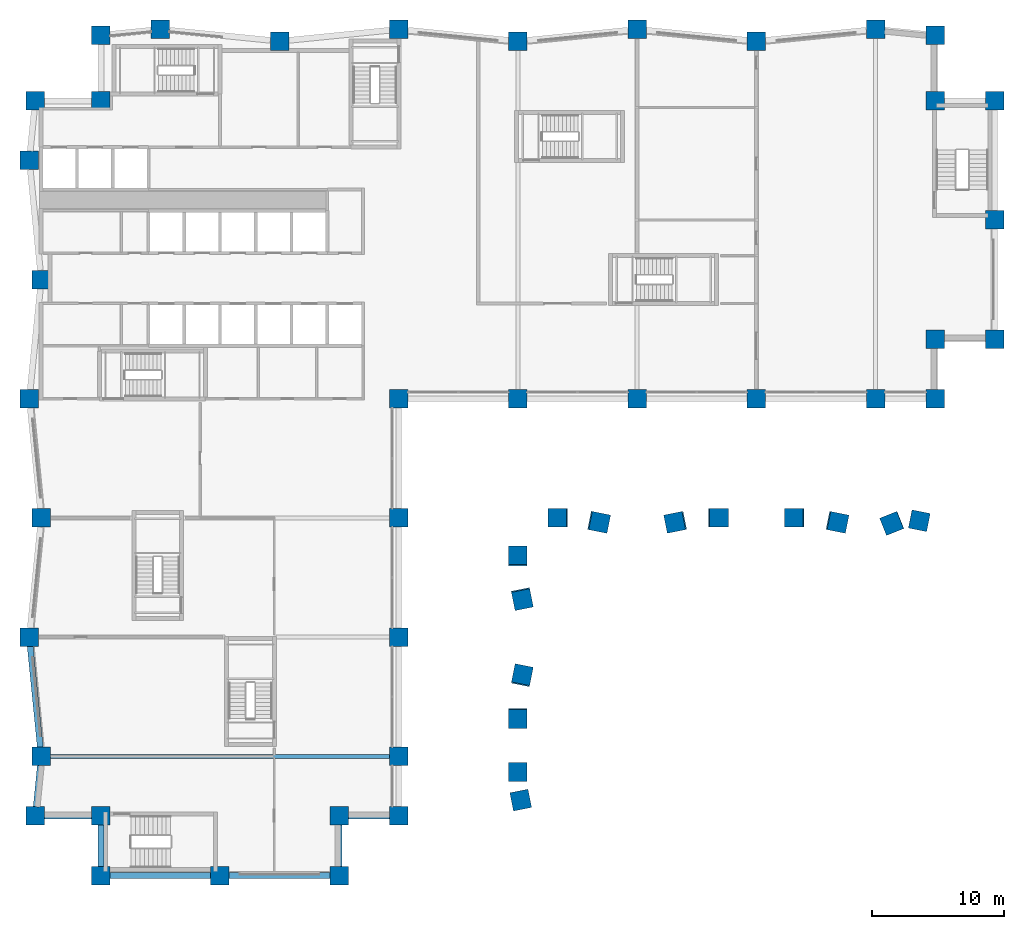
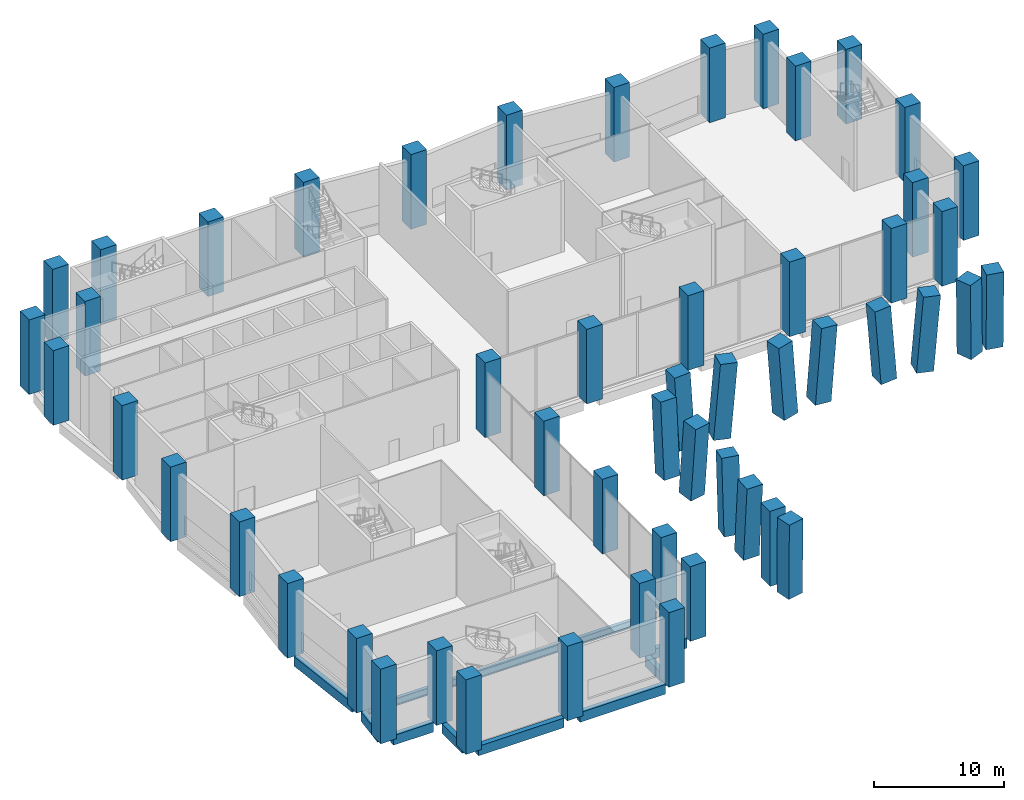
# One storey, part 1 of 18: 52 columns, 9 beams.
"""IFC4 building model written with IfcOpenShell, lengths in metres."""

from ifc_helpers import new_model, si_unit, direction, frame, origin, origin_2d, place, context, subcontext, project, spatial, rectangle, i_section, extrude, material, material_profile, profile_set, type_object, element, save


model = new_model("IFC4")

# Units and contexts
model_context = context("Model", 3, precision=1e-05, world=origin(), true_north=direction((0.0, 1.0)))
body_context = subcontext(model_context, "Body", "Model", "MODEL_VIEW")
ifc_project = project(units=[si_unit("LENGTHUNIT", "METRE"), si_unit("AREAUNIT", "SQUARE_METRE"), si_unit("VOLUMEUNIT", "CUBIC_METRE"), si_unit("PLANEANGLEUNIT", "RADIAN"), si_unit("MASSUNIT", "GRAM", prefix="KILO")], contexts=[model_context])

# Site, building, storey
site_placement = place(None, origin())
site = spatial("IfcSite", under=ifc_project, at=site_placement, CompositionType="ELEMENT")
building_placement = place(site_placement, origin())
building = spatial("IfcBuilding", under=site, at=building_placement, Name="Brondeck Convention Tower", CompositionType="ELEMENT")
storey_placement = place(building_placement, frame((0.0, 0.0, 7.5)))
storey = spatial("IfcBuildingStorey", under=building, at=storey_placement, Name="L01", CompositionType="ELEMENT", Elevation=7.5)

# Columns
ifc_material_1 = material(Name="Concrete C80/95", Category="concrete")
ifc_material_profile_1 = material_profile(ifc_material_1, rectangle(XDim=1.39990234375, YDim=1.39990234375, at=origin_2d()), Name="Mega column 1400x1400 Concrete C80/95")
ifc_profile_set_1 = profile_set([ifc_material_profile_1], Name="Concrete C80/95")
column_type_1 = type_object("IfcColumnType", Name="Mega column 1400x1400 Concrete C80/95", PredefinedType="COLUMN", material=ifc_profile_set_1)
for number, where, z_axis, x_axis, name in (
    (1, (4.5, 0.0, 0.0), (0.0, 0.0, 1.0), (1.0, 0.0, 0.0), "STR-COL-L01-BC-B-S-01"),
    (2, (13.5, 0.0, 0.0), (0.0, 0.0, 1.0), (1.0, 0.0, 0.0), "STR-COL-L01-BC-B-S-02"),
    (3, (22.5, 0.0, 0.0), (0.0, 0.0, 1.0), (1.0, 0.0, 0.0), "STR-COL-L01-BC-B-S-03"),
    (4, (27.0, 4.5, 0.0), (0.0, 0.0, 1.0), (1.0, 0.0, 0.0), "STR-COL-L01-BC-B-E-07"),
    (5, (27.0, 9.0, 0.0), (0.0, 0.0, 1.0), (1.0, 0.0, 0.0), "STR-COL-L01-BC-B-E-06"),
    (6, (27.0, 18.0, 0.0), (0.0, 0.0, 1.0), (1.0, 0.0, 0.0), "STR-COL-L01-BC-B-E-04"),
    (7, (27.0, 27.0, 0.0), (0.0, 0.0, 1.0), (1.0, 0.0, 0.0), "STR-COL-L01-BC-B-E-02"),
    (8, (27.0, 36.0, 0.0), (0.0, 0.0, 1.0), (1.0, 0.0, 0.0), "STR-COL-L01-BC-B-E-00"),
    (9, (36.0, 36.0, 0.0), (0.0, 0.0, 1.0), (1.0, 0.0, 0.0), "STR-COL-L01-BC-A-S-02"),
    (10, (45.0, 36.0, 0.0), (0.0, 0.0, 1.0), (1.0, 0.0, 0.0), "STR-COL-L01-BC-A-S-04"),
    (11, (54.0, 36.0, 0.0), (0.0, 0.0, 1.0), (1.0, 0.0, 0.0), "STR-COL-L01-BC-A-S-06"),
    (12, (63.0, 36.0, 0.0), (0.0, 0.0, 1.0), (1.0, 0.0, 0.0), "STR-COL-L01-BC-A-S-08"),
    (13, (67.5, 36.0, 0.0), (0.0, 0.0, 1.0), (1.0, 0.0, 0.0), "STR-COL-L01-BC-A-S-09"),
    (14, (72.0, 40.5, 0.0), (0.0, 0.0, 1.0), (1.0, 0.0, 0.0), "STR-COL-L01-BC-A-E-01"),
    (15, (72.0, 49.5, 0.0), (0.0, 0.0, 1.0), (1.0, 0.0, 0.0), "STR-COL-L01-BC-A-E-02"),
    (16, (72.0, 58.5, 0.0), (0.0, 0.0, 1.0), (1.0, 0.0, 0.0), "STR-COL-L01-BC-A-E-03"),
    (17, (67.5, 63.449951171875, 0.0), (0.0, 0.0, 1.0), (1.0, 0.0, 0.0), "STR-COL-L01-BC-A-N-15"),
    (18, (63.0, 63.89990234375, 0.0), (0.0, 0.0, 1.0), (1.0, 0.0, 0.0), "STR-COL-L01-BC-A-N-14"),
    (19, (54.0, 63.0, 0.0), (0.0, 0.0, 1.0), (1.0, 0.0, 0.0), "STR-COL-L01-BC-A-N-12"),
    (20, (45.0, 63.89990234375, 0.0), (0.0, 0.0, 1.0), (1.0, 0.0, 0.0), "STR-COL-L01-BC-A-N-10"),
    (21, (36.0, 63.0, 0.0), (0.0, 0.0, 1.0), (1.0, 0.0, 0.0), "STR-COL-L01-BC-A-N-08"),
    (22, (27.0, 63.89990234375, 0.0), (0.0, 0.0, 1.0), (1.0, 0.0, 0.0), "STR-COL-L01-BC-A-N-06"),
    (23, (18.0, 63.0, 0.0), (0.0, 0.0, 1.0), (1.0, 0.0, 0.0), "STR-COL-L01-BC-A-N-04"),
    (24, (9.0, 63.89990234375, 0.0), (0.0, 0.0, 1.0), (1.0, 0.0, 0.0), "STR-COL-L01-BC-A-N-02"),
    (25, (4.5, 63.449951171875, 0.0), (0.0, 0.0, 1.0), (1.0, 0.0, 0.0), "STR-COL-L01-BC-A-N-01"),
    (26, (-0.449951171875, 58.5, 0.0), (0.0, 0.0, 1.0), (1.0, 0.0, 0.0), "STR-COL-L01-BC-B-W-01"),
    (27, (-0.89990234375, 54.0, 0.0), (0.0, 0.0, 1.0), (1.0, 0.0, 0.0), "STR-COL-L01-BC-B-W-02"),
    (28, (0.0, 45.0, 0.0), (0.0, 0.0, 1.0), (1.0, 0.0, 0.0), "STR-COL-L01-BC-B-W-04"),
    (29, (-0.89990234375, 36.0, 0.0), (0.0, 0.0, 1.0), (1.0, 0.0, 0.0), "STR-COL-L01-BC-B-W-06"),
    (30, (0.0, 27.0, 0.0), (0.0, 0.0, 1.0), (1.0, 0.0, 0.0), "STR-COL-L01-BC-B-W-08"),
    (31, (-0.89990234375, 18.0, 0.0), (0.0, 0.0, 1.0), (1.0, 0.0, 0.0), "STR-COL-L01-BC-B-W-10"),
    (32, (0.0, 9.0, 0.0), (0.0, 0.0, 1.0), (1.0, 0.0, 0.0), "STR-COL-L01-BC-B-W-12"),
    (33, (-0.449951171875, 4.5, 0.0), (0.0, 0.0, 1.0), (1.0, 0.0, 0.0), "STR-COL-L01-BC-B-W-13"),
    (34, (4.5, 4.5, 0.0), (0.0, 0.0, 1.0), (1.0, 0.0, 0.0), "STR-COL-L01-NC-SWB"),
    (35, (22.5, 4.5, 0.0), (0.0, 0.0, 1.0), (1.0, 0.0, 0.0), "STR-COL-L01-NC-SEB"),
    (36, (67.5, 40.5, 0.0), (0.0, 0.0, 1.0), (1.0, 0.0, 0.0), "STR-COL-L01-NC-SEA"),
    (37, (67.5, 58.5, 0.0), (0.0, 0.0, 1.0), (1.0, 0.0, 0.0), "STR-COL-L01-NC-NEA"),
    (38, (4.5, 58.5, 0.0), (0.0, 0.0, 1.0), (1.0, 0.0, 0.0), "STR-COL-L01-NC-NW"),
):
    element("IfcColumn", number, at=place(storey_placement, frame(where, z_axis=z_axis, x_axis=x_axis)), inside=storey, type_object=column_type_1, Name=name, PredefinedType="COLUMN", context=body_context, shape_type="SweptSolid", body=[
        extrude(rectangle(XDim=1.39990234375, YDim=1.39990234375, at=origin_2d()), origin(), (0.0, 0.0, 1.0), 7.0),
    ])
ifc_material_profile_2 = material_profile(ifc_material_1, rectangle(XDim=1.39990234375, YDim=1.39990234375, at=origin_2d()), Name="Raking V column 1400x1400 Concrete C80/95")
ifc_profile_set_2 = profile_set([ifc_material_profile_2], Name="Concrete C80/95")
column_type_2 = type_object("IfcColumnType", Name="Raking V column 1400x1400 Concrete C80/95", PredefinedType="COLUMN", material=ifc_profile_set_2)
column_1_placement = place(storey_placement, frame((39.03125, 27.0, 0.0), z_axis=(-0.062378286155, 0.0, 0.998052578483), x_axis=(0.0, -1.0, 0.0)))
element("IfcColumn", 39, at=column_1_placement, inside=storey, type_object=column_type_2, Name="STR-COL-L01-V-A-S-1-W", PredefinedType="COLUMN", context=body_context, shape_type="SweptSolid", body=[
    extrude(rectangle(XDim=1.39990234375, YDim=1.39990234375, at=origin_2d()), origin(), (0.0, 0.0, 1.0), 7.013671875),
])
for number, where, z_axis, x_axis, name in (
    (40, (42.07568359375, 26.684814453125, 0.0), (0.079087211024, -0.015817442205, 0.99674220417), (0.196116135138, 0.980580675691, 0.0), "STR-COL-L01-V-A-S-1-E"),
    (41, (47.92431640625, 26.684814453125, 0.0), (-0.079087211024, -0.015817442205, 0.99674220417), (0.196116135138, -0.980580675691, 0.0), "STR-COL-L01-V-A-S-2-W"),
):
    element("IfcColumn", number, at=place(storey_placement, frame(where, z_axis=z_axis, x_axis=x_axis)), inside=storey, type_object=column_type_2, Name=name, PredefinedType="COLUMN", context=body_context, shape_type="SweptSolid", body=[
        extrude(rectangle(XDim=1.39990234375, YDim=1.39990234375, at=origin_2d()), origin(), (0.0, 0.0, 1.0), 7.02294921875),
    ])
for number, where, z_axis, x_axis, name in (
    (42, (51.0859375, 27.0, 0.0), (0.077887667293, 0.0, 0.996962141349), (0.0, 1.0, 0.0), "STR-COL-L01-V-A-S-2-E"),
    (43, (56.9140625, 27.0, 0.0), (-0.077887667293, 0.0, 0.996962141349), (0.0, -1.0, 0.0), "STR-COL-L01-V-A-S-3-W"),
):
    element("IfcColumn", number, at=place(storey_placement, frame(where, z_axis=z_axis, x_axis=x_axis)), inside=storey, type_object=column_type_2, Name=name, PredefinedType="COLUMN", context=body_context, shape_type="SweptSolid", body=[
        extrude(rectangle(XDim=1.39990234375, YDim=1.39990234375, at=origin_2d()), origin(), (0.0, 0.0, 1.0), 7.021240234375),
    ])
column_2_placement = place(storey_placement, frame((60.07568359375, 26.684814453125, 0.0), z_axis=(0.079087211024, -0.015817442205, 0.99674220417), x_axis=(0.196116135138, 0.980580675691, 0.0)))
element("IfcColumn", 44, at=column_2_placement, inside=storey, type_object=column_type_2, Name="STR-COL-L01-V-A-S-3-E", PredefinedType="COLUMN", context=body_context, shape_type="SweptSolid", body=[
    extrude(rectangle(XDim=1.39990234375, YDim=1.39990234375, at=origin_2d()), origin(), (0.0, 0.0, 1.0), 7.02294921875),
])
column_3_placement = place(storey_placement, frame((64.2294921875, 26.591796875, 0.0), z_axis=(-0.012310581136, -0.004917257621, 0.999912131224), x_axis=(0.370937052858, -0.928658011766, 0.0)))
element("IfcColumn", 45, at=column_3_placement, inside=storey, type_object=column_type_2, Name="STR-COL-L01-V-A-S-4-W", PredefinedType="COLUMN", context=body_context, shape_type="SweptSolid", body=[
    extrude(rectangle(XDim=1.39990234375, YDim=1.39990234375, at=origin_2d()), origin(), (0.0, 0.0, 1.0), 7.000732421875),
])
column_4_placement = place(storey_placement, frame((66.29833984375, 26.790283203125, 0.0), z_axis=(0.009032819744, -0.001813539099, 0.999957558721), x_axis=(0.196844054669, 0.980434810756, 0.0)))
element("IfcColumn", 46, at=column_4_placement, inside=storey, type_object=column_type_2, Name="STR-COL-L01-V-A-S-4-E", PredefinedType="COLUMN", context=body_context, shape_type="SweptSolid", body=[
    extrude(rectangle(XDim=1.39990234375, YDim=1.39990234375, at=origin_2d()), origin(), (0.0, 0.0, 1.0), 7.000244140625),
])
column_5_placement = place(storey_placement, frame((36.0, 24.0859375, 0.0), z_axis=(0.0, 0.077887667293, 0.996962141349), x_axis=(-1.0, 0.0, 0.0)))
element("IfcColumn", 47, at=column_5_placement, inside=storey, type_object=column_type_2, Name="STR-COL-L01-V-B-E-1-W", PredefinedType="COLUMN", context=body_context, shape_type="SweptSolid", body=[
    extrude(rectangle(XDim=1.39990234375, YDim=1.39990234375, at=origin_2d()), origin(), (0.0, 0.0, 1.0), 7.021240234375),
])
for number, where, z_axis, x_axis, name in (
    (48, (36.315185546875, 20.92431640625, 0.0), (0.015817442205, -0.079087211024, 0.99674220417), (0.980580675691, 0.196116135138, 0.0), "STR-COL-L01-V-B-E-1-E"),
    (49, (36.315185546875, 15.07568359375, 0.0), (0.015817442205, 0.079087211024, 0.99674220417), (-0.980580675691, 0.196116135138, 0.0), "STR-COL-L01-V-B-E-2-W"),
):
    element("IfcColumn", number, at=place(storey_placement, frame(where, z_axis=z_axis, x_axis=x_axis)), inside=storey, type_object=column_type_2, Name=name, PredefinedType="COLUMN", context=body_context, shape_type="SweptSolid", body=[
        extrude(rectangle(XDim=1.39990234375, YDim=1.39990234375, at=origin_2d()), origin(), (0.0, 0.0, 1.0), 7.02294921875),
    ])
column_6_placement = place(storey_placement, frame((36.0, 11.9140625, 0.0), z_axis=(0.0, -0.077887667293, 0.996962141349), x_axis=(1.0, 0.0, 0.0)))
element("IfcColumn", 50, at=column_6_placement, inside=storey, type_object=column_type_2, Name="STR-COL-L01-V-B-E-2-E", PredefinedType="COLUMN", context=body_context, shape_type="SweptSolid", body=[
    extrude(rectangle(XDim=1.39990234375, YDim=1.39990234375, at=origin_2d()), origin(), (0.0, 0.0, 1.0), 7.021240234375),
])
for number, where, z_axis, x_axis, name in (
    (51, (36.0, 7.80859375, 0.0), (0.0, 0.007812261592, 0.999969483819), (-1.0, 0.0, 0.0), "STR-COL-L01-V-B-E-3-W"),
    (52, (36.209716796875, 5.70166015625, 0.0), (0.001813539099, -0.009032819744, 0.999957558721), (0.980434810756, 0.196844054669, 0.0), "STR-COL-L01-V-B-E-3-E"),
):
    element("IfcColumn", number, at=place(storey_placement, frame(where, z_axis=z_axis, x_axis=x_axis)), inside=storey, type_object=column_type_2, Name=name, PredefinedType="COLUMN", context=body_context, shape_type="SweptSolid", body=[
        extrude(rectangle(XDim=1.39990234375, YDim=1.39990234375, at=origin_2d()), origin(), (0.0, 0.0, 1.0), 7.000244140625),
    ])

# Beams
ifc_material_profile_3 = material_profile(ifc_material_1, rectangle(XDim=0.449951171875, YDim=0.89990234375, at=origin_2d()), Name="Edge beam 450x900 Concrete C80/95")
ifc_profile_set_3 = profile_set([ifc_material_profile_3], Name="Concrete C80/95")
beam_type_1 = type_object("IfcBeamType", Name="Edge beam 450x900 Concrete C80/95", PredefinedType="BEAM", material=ifc_profile_set_3)
for number, where, z_axis, x_axis, name in (
    (53, (5.199951171875, 0.0, -0.449951171875), (1.0, 0.0, 0.0), (0.0, 1.0, 0.0), "STR-SP-L01-001"),
    (54, (14.199951171875, 0.0, -0.449951171875), (1.0, 0.0, 0.0), (0.0, 1.0, 0.0), "STR-SP-L01-002"),
):
    element("IfcBeam", number, at=place(storey_placement, frame(where, z_axis=z_axis, x_axis=x_axis)), inside=storey, type_object=beam_type_1, Name=name, PredefinedType="BEAM", context=body_context, shape_type="SweptSolid", body=[
        extrude(rectangle(XDim=0.449951171875, YDim=0.89990234375, at=origin_2d()), origin(), (0.0, 0.0, 1.0), 7.60009765625),
    ])
for number, where, z_axis, x_axis, name in (
    (55, (22.5, 0.699951171875, -0.449951171875), (0.0, 1.0, 0.0), (-1.0, 0.0, 0.0), "STR-SP-L01-003"),
    (56, (23.199951171875, 4.5, -0.449951171875), (1.0, 0.0, 0.0), (0.0, 1.0, 0.0), "STR-SP-L01-004"),
):
    element("IfcBeam", number, at=place(storey_placement, frame(where, z_axis=z_axis, x_axis=x_axis)), inside=storey, type_object=beam_type_1, Name=name, PredefinedType="BEAM", context=body_context, shape_type="SweptSolid", body=[
        extrude(rectangle(XDim=0.449951171875, YDim=0.89990234375, at=origin_2d()), origin(), (0.0, 0.0, 1.0), 3.10009765625),
    ])
beam_1_placement = place(storey_placement, frame((-0.830078125, 17.300048828125, -0.449951171875), z_axis=(0.099503719021, -0.99503719021, 0.0), x_axis=(0.99503719021, 0.099503719021, 0.0)))
element("IfcBeam", 57, at=beam_1_placement, inside=storey, type_object=beam_type_1, Name="STR-SP-L01-035", PredefinedType="BEAM", context=body_context, shape_type="SweptSolid", body=[
    extrude(rectangle(XDim=0.449951171875, YDim=0.89990234375, at=origin_2d()), origin(), (0.0, 0.0, 1.0), 7.637939453125),
])
beam_2_placement = place(storey_placement, frame((-0.070068359375, 8.300048828125, -0.449951171875), z_axis=(-0.099441649747, -0.995043395182, 0.0), x_axis=(0.995043395182, -0.099441649747, 0.0)))
element("IfcBeam", 58, at=beam_2_placement, inside=storey, type_object=beam_type_1, Name="STR-SP-L01-036", PredefinedType="BEAM", context=body_context, shape_type="SweptSolid", body=[
    extrude(rectangle(XDim=0.449951171875, YDim=0.89990234375, at=origin_2d()), origin(), (0.0, 0.0, 1.0), 3.115478515625),
])
beam_3_placement = place(storey_placement, frame((0.25, 4.5, -0.449951171875), z_axis=(1.0, 0.0, 0.0), x_axis=(0.0, 1.0, 0.0)))
element("IfcBeam", 59, at=beam_3_placement, inside=storey, type_object=beam_type_1, Name="STR-SP-L01-037", PredefinedType="BEAM", context=body_context, shape_type="SweptSolid", body=[
    extrude(rectangle(XDim=0.449951171875, YDim=0.89990234375, at=origin_2d()), origin(), (0.0, 0.0, 1.0), 3.550048828125),
])
beam_4_placement = place(storey_placement, frame((4.5, 3.800048828125, -0.449951171875), z_axis=(0.0, -1.0, 0.0), x_axis=(1.0, 0.0, 0.0)))
element("IfcBeam", 60, at=beam_4_placement, inside=storey, type_object=beam_type_1, Name="STR-SP-L01-038", PredefinedType="BEAM", context=body_context, shape_type="SweptSolid", body=[
    extrude(rectangle(XDim=0.449951171875, YDim=0.89990234375, at=origin_2d()), origin(), (0.0, 0.0, 1.0), 3.10009765625),
])
ifc_material_2 = material(Name="Steel S355", Category="steel")
ifc_material_profile_4 = material_profile(ifc_material_2, i_section(OverallWidth=0.300048828125, OverallDepth=0.699951171875, WebThickness=0.01708984375, FlangeThickness=0.031982421875, FilletRadius=0.027099609375, at=origin_2d()), Name="HEB 700")
ifc_profile_set_4 = profile_set([ifc_material_profile_4], Name="Steel S355")
beam_type_2 = type_object("IfcBeamType", Name="Girder HEB 700", PredefinedType="BEAM", material=ifc_profile_set_4)
beam_5_placement = place(storey_placement, frame((0.699951171875, 9.0, -0.64990234375), z_axis=(1.0, 0.0, 0.0), x_axis=(0.0, 1.0, 0.0)))
element("IfcBeam", 61, at=beam_5_placement, inside=storey, type_object=beam_type_2, Name="STR-GR-L01-007", PredefinedType="BEAM", context=body_context, shape_type="SweptSolid", body=[
    extrude(i_section(OverallWidth=0.300048828125, OverallDepth=0.699951171875, WebThickness=0.01708984375, FlangeThickness=0.031982421875, FilletRadius=0.027099609375, at=origin_2d()), origin(), (0.0, 0.0, 1.0), 25.60009765625),
])

save(model, "model.ifc")
